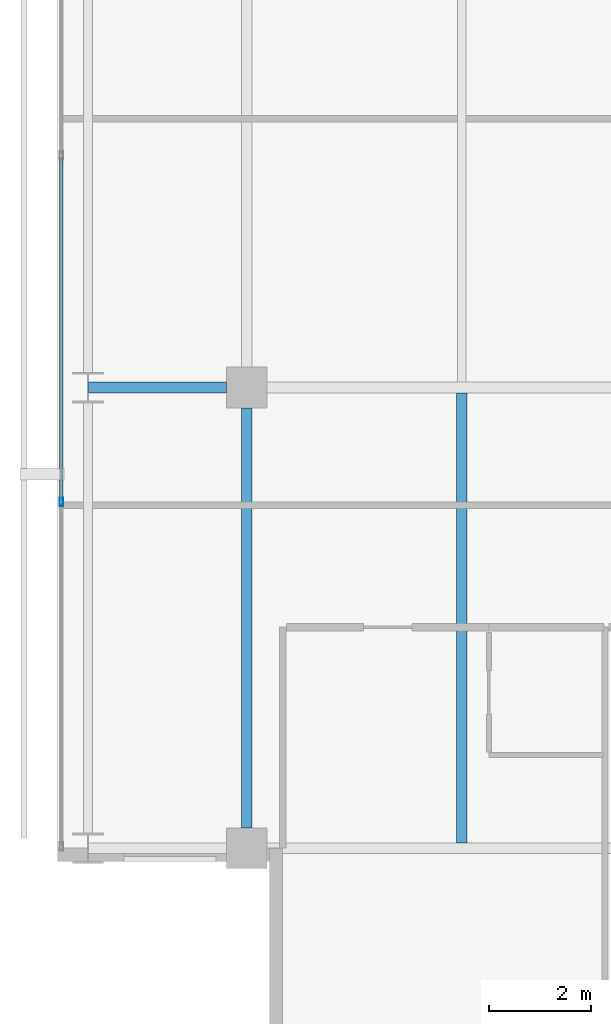
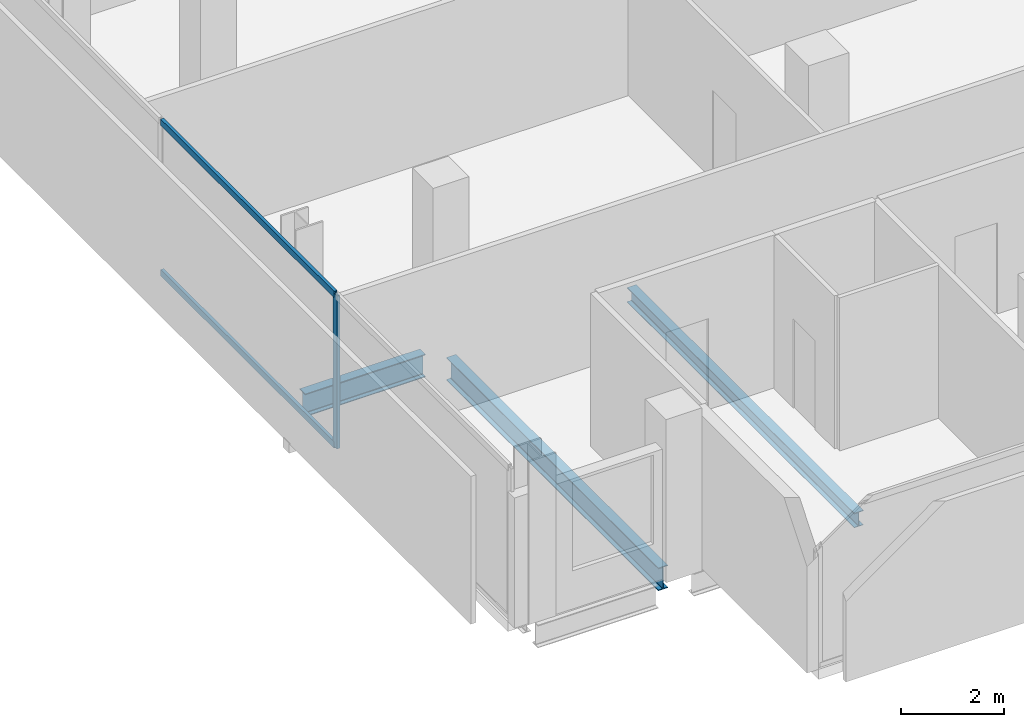
# One storey, part 4 of 33: 3 beams, 3 members, 1 element without a shape of its own.
"""IFC4 building model written with IfcOpenShell, lengths in metres."""

from ifc_helpers import new_model, si_unit, direction, frame, origin, origin_2d, place, context, subcontext, project, spatial, hollow_rectangle, i_section, extrude, material, layer, layer_set, material_profile, profile_set, type_object, element, aggregate, save


model = new_model("IFC4")

# Units and contexts
model_context = context("Model", 3, precision=1e-05, world=origin(), true_north=direction((0.0, 1.0)))
body_context = subcontext(model_context, "Body", "Model", "MODEL_VIEW")
ifc_project = project(units=[si_unit("LENGTHUNIT", "METRE"), si_unit("AREAUNIT", "SQUARE_METRE"), si_unit("VOLUMEUNIT", "CUBIC_METRE"), si_unit("PLANEANGLEUNIT", "RADIAN"), si_unit("MASSUNIT", "GRAM", prefix="KILO")], contexts=[model_context])

# Site, building, storey
site_placement = place(None, origin())
site = spatial("IfcSite", under=ifc_project, at=site_placement, CompositionType="ELEMENT")
building_placement = place(site_placement, origin())
building = spatial("IfcBuilding", under=site, at=building_placement, Name="Maruvema Waterfront Hotel and Observation Tower", CompositionType="ELEMENT")
storey_placement = place(building_placement, frame((0.0, 0.0, 204.39990234375)))
storey = spatial("IfcBuildingStorey", under=building, at=storey_placement, Name="L50", CompositionType="ELEMENT", Elevation=204.39990234375)

# Curtain wall, members
ifc_material_1 = material(Name="Anodised bronze aluminium and solar-control low-E IGU", Category="aluminium")
ifc_layer = layer(ifc_material_1, 0.159912109375, Name="Zone 2 Amber Inner Thermal Curtain Wall System CW-03")
ifc_layer_set = layer_set([ifc_layer], Name="Anodised bronze aluminium and solar-control low-E IGU")
curtain_wall_type = type_object("IfcCurtainWallType", Name="Zone 2 Amber Inner Thermal Curtain Wall System CW-03", PredefinedType="USERDEFINED", material=ifc_layer_set)
curtain_wall_placement = place(storey_placement, origin())
curtain_wall = element("IfcCurtainWall", 1, at=curtain_wall_placement, inside=storey, type_object=curtain_wall_type, Name="L50 Curtain Wall CW-L50-W", ObjectType="UNITISED CURTAIN WALL", PredefinedType="USERDEFINED")
ifc_material_2 = material(Name="Anodised architectural bronze aluminium", Category="aluminium")
ifc_material_profile_1 = material_profile(ifc_material_2, hollow_rectangle(XDim=0.070068359375, YDim=0.14990234375, WallThickness=0.00390625, at=origin_2d()), Name="ALU-T70x150")
ifc_profile_set_1 = profile_set([ifc_material_profile_1], Name="Anodised architectural bronze aluminium")
member_type_1 = type_object("IfcMemberType", Name="Curtain Wall Horizontal Transom ALU-T70x150", PredefinedType="USERDEFINED", material=ifc_profile_set_1)
member_1_placement = place(storey_placement, frame((13.179931640625, 22.50341796875, 0.030029296875), z_axis=(0.0, -1.0, 0.0), x_axis=(1.0, 0.0, 0.0)))
member_1 = element("IfcMember", 2, at=member_1_placement, type_object=member_type_1, Name="CW-03 transom 5.1", ObjectType="TRANSOM", PredefinedType="USERDEFINED", context=body_context, shape_type="SweptSolid", body=[
    extrude(hollow_rectangle(XDim=0.070068359375, YDim=0.14990234375, WallThickness=0.00390625, at=origin_2d()), origin(), (0.0, 0.0, 1.0), 6.706787109375),
])
member_2_placement = place(storey_placement, frame((13.179931640625, 22.50341796875, 3.580078125), z_axis=(0.0, -1.0, 0.0), x_axis=(1.0, 0.0, 0.0)))
member_2 = element("IfcMember", 3, at=member_2_placement, type_object=member_type_1, Name="CW-03 transom 5.2", ObjectType="TRANSOM", PredefinedType="USERDEFINED", context=body_context, shape_type="SweptSolid", body=[
    extrude(hollow_rectangle(XDim=0.070068359375, YDim=0.14990234375, WallThickness=0.00390625, at=origin_2d()), origin(), (0.0, 0.0, 1.0), 6.706787109375),
])
ifc_material_3 = material(Name="Anodised architectural bronze aluminium", Category="aluminium")
ifc_material_profile_2 = material_profile(ifc_material_3, hollow_rectangle(XDim=0.06494140625, YDim=0.1650390625, WallThickness=0.00390625, at=origin_2d()), Name="ALU-M65x165")
ifc_profile_set_2 = profile_set([ifc_material_profile_2], Name="Anodised architectural bronze aluminium")
member_type_2 = type_object("IfcMemberType", Name="Curtain Wall Primary Mullion ALU-M65x165", PredefinedType="MULLION", material=ifc_profile_set_2)
member_3_placement = place(storey_placement, frame((13.179931640625, 15.7666015625, 0.0), z_axis=(0.0, 0.0, 1.0), x_axis=(1.0, 0.0, 0.0)))
member_3 = element("IfcMember", 4, at=member_3_placement, type_object=member_type_2, Name="CW-03 mullion 6", PredefinedType="MULLION", context=body_context, shape_type="SweptSolid", body=[
    extrude(hollow_rectangle(XDim=0.06494140625, YDim=0.1650390625, WallThickness=0.00390625, at=origin_2d()), origin(), (0.0, 0.0, 1.0), 3.610107421875),
])
aggregate(curtain_wall, [member_3, member_1, member_2])

# Beams
ifc_material_4 = material(Name="Steel ASTM A572 Grade 50", Category="steel")
ifc_material_profile_3 = material_profile(ifc_material_4, i_section(OverallWidth=0.2109375, OverallDepth=0.5390625, WebThickness=0.01171875, FlangeThickness=0.018798828125, FilletRadius=0.014892578125, at=origin_2d()), Name="W530x109.0")
ifc_profile_set_3 = profile_set([ifc_material_profile_3], Name="Steel ASTM A572 Grade 50")
beam_type_1 = type_object("IfcBeamType", Name="Primary Floor Girder W530x109.0", PredefinedType="BEAM", material=ifc_profile_set_3)
beam_1_placement = place(storey_placement, frame((13.71240234375, 18.0, -0.509521484375), z_axis=(1.0, 0.0, 0.0), x_axis=(0.0, 1.0, 0.0)))
element("IfcBeam", 5, at=beam_1_placement, inside=storey, type_object=beam_type_1, Name="L50 Floor Girder EW-11", PredefinedType="BEAM", context=body_context, shape_type="SweptSolid", body=[
    extrude(i_section(OverallWidth=0.2109375, OverallDepth=0.5390625, WebThickness=0.01171875, FlangeThickness=0.018798828125, FilletRadius=0.014892578125, at=origin_2d()), origin(), (0.0, 0.0, 1.0), 2.6875),
])
beam_2_placement = place(storey_placement, frame((16.800048828125, 9.39990234375, -0.509521484375), z_axis=(0.0, 1.0, 0.0), x_axis=(-1.0, 0.0, 0.0)))
element("IfcBeam", 6, at=beam_2_placement, inside=storey, type_object=beam_type_1, Name="L50 Floor Girder NS-05", PredefinedType="BEAM", context=body_context, shape_type="SweptSolid", body=[
    extrude(i_section(OverallWidth=0.2109375, OverallDepth=0.5390625, WebThickness=0.01171875, FlangeThickness=0.018798828125, FilletRadius=0.014892578125, at=origin_2d()), origin(), (0.0, 0.0, 1.0), 8.2001953125),
])
ifc_material_5 = material(Name="Steel ASTM A572 Grade 50", Category="steel")
ifc_material_profile_4 = material_profile(ifc_material_5, i_section(OverallWidth=0.202880859375, OverallDepth=0.346923828125, WebThickness=0.0078125, FlangeThickness=0.013427734375, FilletRadius=0.014892578125, at=origin_2d()), Name="W360x64.0")
ifc_profile_set_4 = profile_set([ifc_material_profile_4], Name="Steel ASTM A572 Grade 50")
beam_type_2 = type_object("IfcBeamType", Name="Secondary Floor Joist W360x64.0", PredefinedType="JOIST", material=ifc_profile_set_4)
beam_3_placement = place(storey_placement, frame((21.0, 9.10546875, -0.413330078125), z_axis=(0.0, 1.0, 0.0), x_axis=(-1.0, 0.0, 0.0)))
element("IfcBeam", 7, at=beam_3_placement, inside=storey, type_object=beam_type_2, Name="L50 Secondary Floor Joist JS-01", PredefinedType="JOIST", context=body_context, shape_type="SweptSolid", body=[
    extrude(i_section(OverallWidth=0.202880859375, OverallDepth=0.346923828125, WebThickness=0.0078125, FlangeThickness=0.013427734375, FilletRadius=0.014892578125, at=origin_2d()), origin(), (0.0, 0.0, 1.0), 8.7890625),
])

save(model, "model.ifc")
